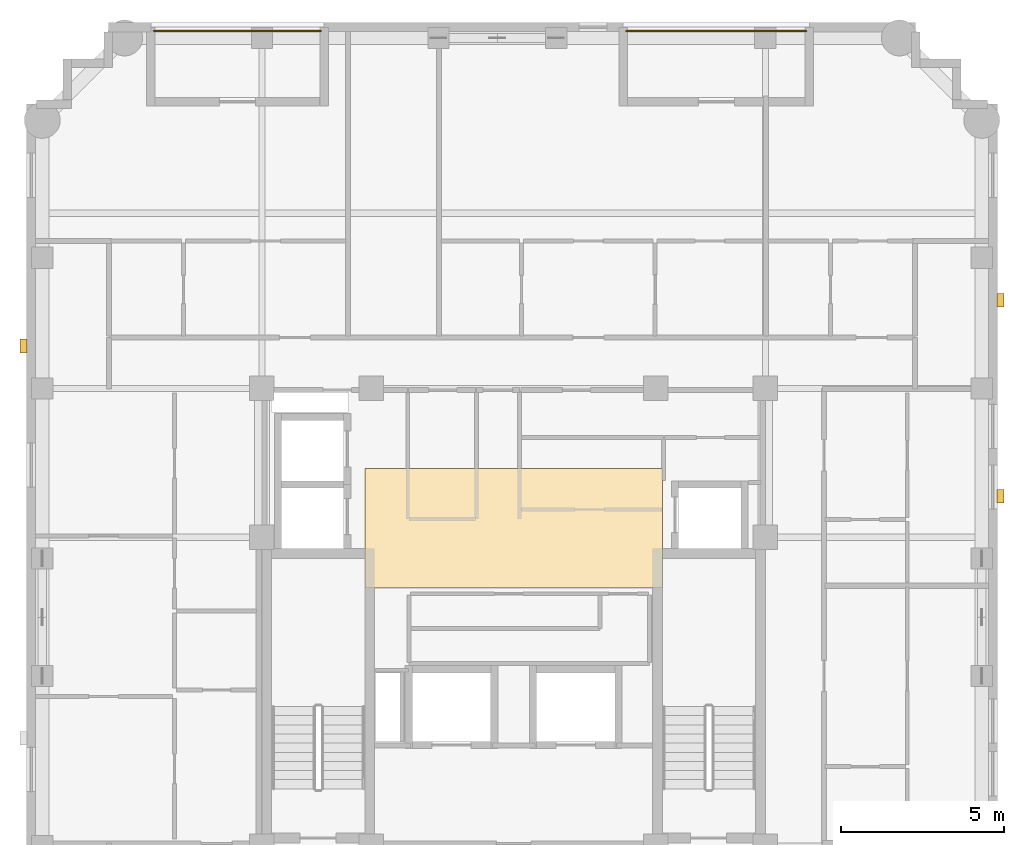
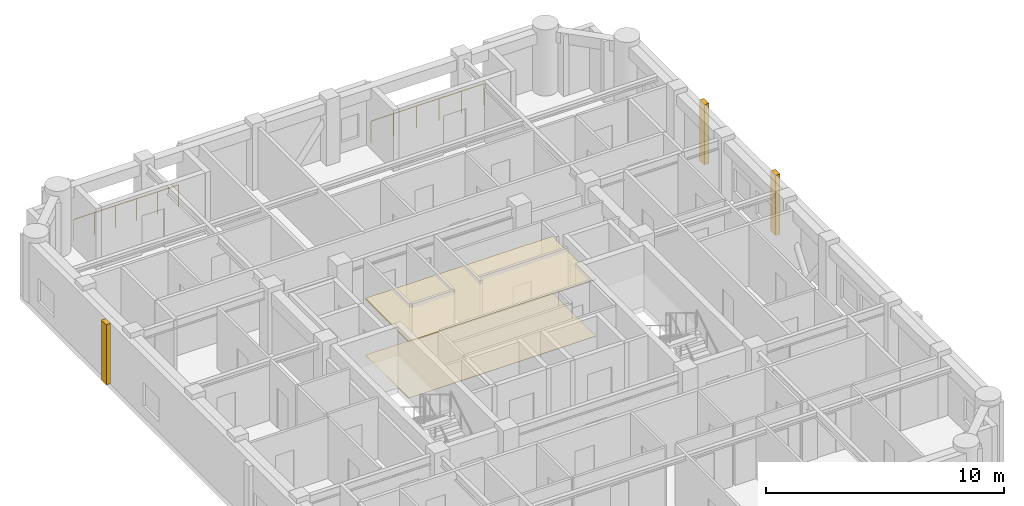
# One storey, part 10 of 10: 5 coverings, 2 railings.
"""IFC4 building model written with IfcOpenShell, lengths in metres."""

from ifc_helpers import new_model, si_unit, derived_unit, direction, frame, origin, origin_2d, place, context, subcontext, project, spatial, polyline, rectangle, circle, outline, extrude, material, layer, layer_set, type_object, element, save


model = new_model("IFC4")

# Units and contexts
model_context = context("Model", 3, precision=1e-05, world=origin(), true_north=direction((0.0, 1.0)))
body_context = subcontext(model_context, "Body", "Model", "MODEL_VIEW")
ifc_project = project(units=[si_unit("LENGTHUNIT", "METRE"), si_unit("AREAUNIT", "SQUARE_METRE"), si_unit("VOLUMEUNIT", "CUBIC_METRE"), si_unit("PLANEANGLEUNIT", "RADIAN"), si_unit("MASSUNIT", "GRAM", prefix="KILO"), derived_unit("THERMALTRANSMITTANCEUNIT", [(si_unit("MASSUNIT", "GRAM", prefix="KILO"), 1), (si_unit("TIMEUNIT", "SECOND"), -3), (si_unit("THERMODYNAMICTEMPERATUREUNIT", "KELVIN"), -1)])], contexts=[model_context])

# Site, building, storey
site_placement = place(None, origin())
site = spatial("IfcSite", under=ifc_project, at=site_placement, CompositionType="ELEMENT")
building_placement = place(site_placement, origin())
building = spatial("IfcBuilding", under=site, at=building_placement, Name="Korrvale Station Residences", CompositionType="ELEMENT")
storey_placement = place(building_placement, frame((0.0, 0.0, 217.300048828125)))
storey = spatial("IfcBuildingStorey", under=building, at=storey_placement, Name="L63", CompositionType="ELEMENT", Elevation=217.300048828125)

# Coverings
ifc_material_1 = material(Name="Perforated acoustic mineral-fibre suspended ceiling", Category="gypsum")
ifc_layer_1 = layer(ifc_material_1, 0.050048828125, Name="Perforated acoustic mineral-fibre suspended ceiling")
ifc_layer_set_1 = layer_set([ifc_layer_1], Name="Perforated acoustic mineral-fibre suspended ceiling")
covering_type_1 = type_object("IfcCoveringType", Name="COV-CLG-AC60", PredefinedType="CEILING", material=ifc_layer_set_1)
covering_1_placement = place(storey_placement, frame((0.0, 0.0, 2.889892578125)))
element("IfcCovering", 1, at=covering_1_placement, inside=storey, type_object=covering_type_1, Name="L63 Elevator Lobby Acoustic Ceiling", PredefinedType="CEILING", context=body_context, shape_type="SweptSolid", body=[
    extrude(outline(polyline([(20.949951171875, 22.89990234375), (30.050048828125, 22.89990234375), (30.050048828125, 26.550048828125), (20.949951171875, 26.550048828125), (20.949951171875, 22.89990234375)])), origin(), (0.0, 0.0, 1.0), 0.050048828125),
])
ifc_material_2 = material(Name="Polished quartz-terrazzo lobby flooring", Category="masonry")
ifc_layer_2 = layer(ifc_material_2, 0.02001953125, Name="Polished quartz-terrazzo lobby flooring")
ifc_layer_set_2 = layer_set([ifc_layer_2], Name="Polished quartz-terrazzo lobby flooring")
covering_type_2 = type_object("IfcCoveringType", Name="COV-FLR-TER20", PredefinedType="FLOORING", material=ifc_layer_set_2)
covering_2_placement = place(storey_placement, origin())
element("IfcCovering", 2, at=covering_2_placement, inside=storey, type_object=covering_type_2, Name="L63 Elevator Lobby Terrazzo Flooring", PredefinedType="FLOORING", context=body_context, shape_type="SweptSolid", body=[
    extrude(outline(polyline([(20.949951171875, 22.89990234375), (30.050048828125, 22.89990234375), (30.050048828125, 26.550048828125), (20.949951171875, 26.550048828125), (20.949951171875, 22.89990234375)])), origin(), (0.0, 0.0, 1.0), 0.02001953125),
])
ifc_material_3 = material(Name="Architectural precast concrete C45/55", Category="concrete")
ifc_layer_3 = layer(ifc_material_3, 0.219970703125, Name="Architectural precast concrete C45/55")
ifc_layer_set_3 = layer_set([ifc_layer_3], Name="Architectural precast concrete C45/55")
covering_type_3 = type_object("IfcCoveringType", Name="COV-PIER-400", PredefinedType="CLADDING", material=ifc_layer_set_3)
for number, where, z_axis, x_axis, name in (
    (3, (10.510009765625, 30.300048828125, 0.02490234375), (0.0, 0.0, 1.0), (0.0, 1.0, 0.0), "L63 Architectural Precast Facade Pier 04"),
    (4, (40.389892578125, 31.699951171875, 0.02490234375), (0.0, 0.0, 1.0), (0.0, 1.0, 0.0), "L63 Architectural Precast Facade Pier 05"),
    (5, (40.389892578125, 25.699951171875, 0.02490234375), (0.0, 0.0, 1.0), (0.0, 1.0, 0.0), "L63 Architectural Precast Facade Pier 06"),
):
    element("IfcCovering", number, at=place(storey_placement, frame(where, z_axis=z_axis, x_axis=x_axis)), inside=storey, type_object=covering_type_3, Name=name, PredefinedType="CLADDING", context=body_context, shape_type="SweptSolid", body=[
        extrude(rectangle(XDim=0.419921875, YDim=0.219970703125, at=origin_2d()), origin(), (0.0, 0.0, 1.0), 3.090087890625),
    ])

# Railings
ifc_material_4 = material(Name="Powder-coated aluminium picket loggia guard", Category="aluminium")
railing_type = type_object("IfcRailingType", Name="RLG-BAL-1150", PredefinedType="GUARDRAIL", material=ifc_material_4)
railing_1_placement = place(storey_placement, frame((14.5, 39.929931640625, 0.0)))
element("IfcRailing", 6, at=railing_1_placement, inside=storey, type_object=railing_type, Name="L63 Recessed Loggia Guardrail BAL-L63-N2", PredefinedType="GUARDRAIL", context=body_context, shape_type="SweptSolid", body=[
    extrude(circle(Radius=0.02392578125, at=origin_2d()), frame((0.0, 0.0, 1.1259765625), z_axis=(1.0, 0.0, 0.0), x_axis=(0.0, 1.0, 0.0)), (0.0, 0.0, 1.0), 5.10009765625),
    extrude(circle(Radius=0.02099609375, at=origin_2d()), origin(), (0.0, 0.0, 1.0), 1.101806640625),
    extrude(circle(Radius=0.02099609375, at=origin_2d()), frame((1.02001953125, 0.0, 0.0)), (0.0, 0.0, 1.0), 1.101806640625),
    extrude(circle(Radius=0.02099609375, at=origin_2d()), frame((2.0400390625, 0.0, 0.0)), (0.0, 0.0, 1.0), 1.101806640625),
    extrude(circle(Radius=0.02099609375, at=origin_2d()), frame((3.06005859375, 0.0, 0.0)), (0.0, 0.0, 1.0), 1.101806640625),
    extrude(circle(Radius=0.02099609375, at=origin_2d()), frame((4.080078125, 0.0, 0.0)), (0.0, 0.0, 1.0), 1.101806640625),
    extrude(circle(Radius=0.02099609375, at=origin_2d()), frame((5.10009765625, 0.0, 0.0)), (0.0, 0.0, 1.0), 1.101806640625),
])
railing_2_placement = place(storey_placement, frame((28.949951171875, 39.929931640625, 0.0)))
element("IfcRailing", 7, at=railing_2_placement, inside=storey, type_object=railing_type, Name="L63 Recessed Loggia Guardrail BAL-L63-N1", PredefinedType="GUARDRAIL", context=body_context, shape_type="SweptSolid", body=[
    extrude(circle(Radius=0.02392578125, at=origin_2d()), frame((0.0, 0.0, 1.1259765625), z_axis=(1.0, 0.0, 0.0), x_axis=(0.0, 1.0, 0.0)), (0.0, 0.0, 1.0), 5.5),
    extrude(circle(Radius=0.02099609375, at=origin_2d()), origin(), (0.0, 0.0, 1.0), 1.101806640625),
    extrude(circle(Radius=0.02099609375, at=origin_2d()), frame((1.10009765625, 0.0, 0.0)), (0.0, 0.0, 1.0), 1.101806640625),
    extrude(circle(Radius=0.02099609375, at=origin_2d()), frame((2.199951171875, 0.0, 0.0)), (0.0, 0.0, 1.0), 1.101806640625),
    extrude(circle(Radius=0.02099609375, at=origin_2d()), frame((3.300048828125, 0.0, 0.0)), (0.0, 0.0, 1.0), 1.101806640625),
    extrude(circle(Radius=0.02099609375, at=origin_2d()), frame((4.39990234375, 0.0, 0.0)), (0.0, 0.0, 1.0), 1.101806640625),
    extrude(circle(Radius=0.02099609375, at=origin_2d()), frame((5.5, 0.0, 0.0)), (0.0, 0.0, 1.0), 1.101806640625),
])

save(model, "model.ifc")
